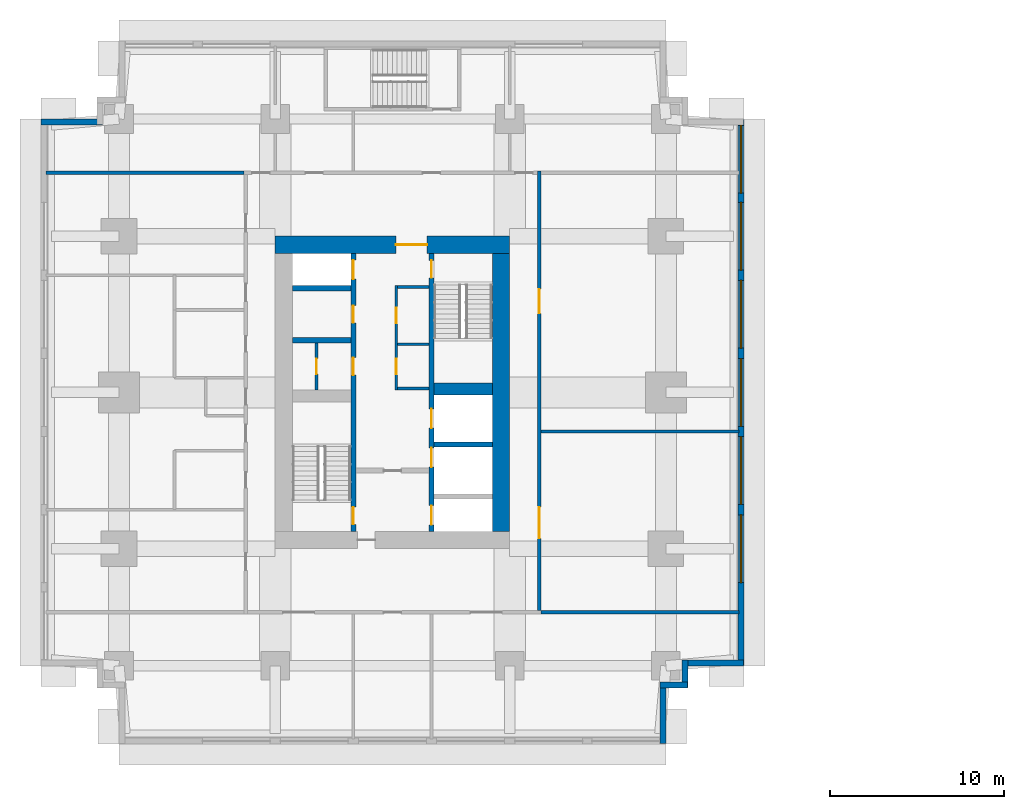
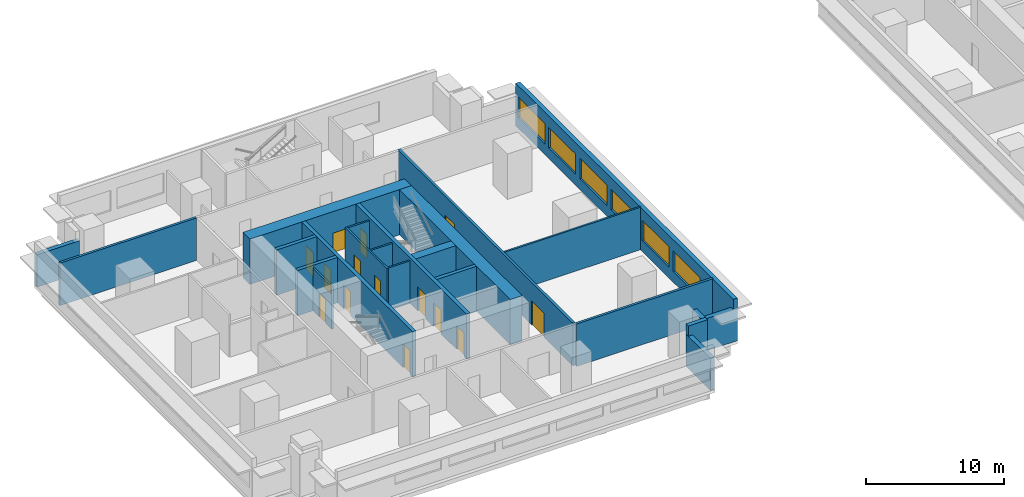
# One storey, part 4 of 11: 23 walls, 14 doors, 6 windows, 20 openings.
"""IFC4 building model written with IfcOpenShell, lengths in metres."""

from ifc_helpers import new_model, si_unit, direction, frame, frame_2d, origin, place, context, subcontext, project, spatial, rectangle, extrude, material, layer, layer_set, type_object, element, fill, save


model = new_model("IFC4")

# Units and contexts
model_context = context("Model", 3, precision=1e-05, world=origin(), true_north=direction((0.0, 1.0)))
body_context = subcontext(model_context, "Body", "Model", "MODEL_VIEW")
ifc_project = project(units=[si_unit("LENGTHUNIT", "METRE"), si_unit("AREAUNIT", "SQUARE_METRE"), si_unit("VOLUMEUNIT", "CUBIC_METRE"), si_unit("PLANEANGLEUNIT", "RADIAN"), si_unit("MASSUNIT", "GRAM", prefix="KILO")], contexts=[model_context])

# Site, building, storey
site_placement = place(None, origin())
site = spatial("IfcSite", under=ifc_project, at=site_placement, CompositionType="ELEMENT")
building_placement = place(site_placement, origin())
building = spatial("IfcBuilding", under=site, at=building_placement, Name="Namib Vertical Campus", CompositionType="ELEMENT")
storey_placement = place(building_placement, frame((0.0, 0.0, 189.0)))
storey = spatial("IfcBuildingStorey", under=building, at=storey_placement, Name="L44", CompositionType="ELEMENT", Elevation=189.0)

# Wall, openings, doors
ifc_material_1 = material(Name="Concrete C60/75", Category="concrete")
ifc_layer_1 = layer(ifc_material_1, 0.300048828125)
ifc_layer_set_1 = layer_set([ifc_layer_1], Name="Concrete C60/75")
wall_type_1 = type_object("IfcWallType", Name="Core inner wall 300", PredefinedType="SHEAR", material=ifc_layer_set_1)
wall_1_placement = place(storey_placement, frame((18.0, 12.25, 0.0), z_axis=(0.0, 0.0, 1.0), x_axis=(0.0, 1.0, 0.0)))
wall_1 = element("IfcWall", 1, at=wall_1_placement, inside=storey, type_object=wall_type_1, Name="Core inner wall A L44 W1", PredefinedType="SHEAR", context=body_context, shape_type="SweptSolid", body=[
    extrude(rectangle(XDim=16.0, YDim=0.300048828125, at=frame_2d((8.0, 0.0))), origin(), (0.0, 0.0, 1.0), 4.0),
])
opening_1_placement = place(wall_1_placement, frame((0.39990234375, 0.0, 0.0)))
opening_1 = element("IfcOpeningElement", 2, at=opening_1_placement, cuts=wall_1, Name="Opening FD1", PredefinedType="OPENING", context=body_context, shape_type="SweptSolid", body=[
    extrude(rectangle(XDim=1.0, YDim=2.10009765625, at=frame_2d((0.5, 1.050048828125))), frame((0.0, 0.159912109375, 0.0), z_axis=(0.0, -1.0, 0.0), x_axis=(1.0, 0.0, 0.0)), (0.0, 0.0, 1.0), 0.320068359375),
])
opening_2_placement = place(wall_1_placement, frame((14.52490234375, 0.0, 0.0)))
opening_2 = element("IfcOpeningElement", 3, at=opening_2_placement, cuts=wall_1, Name="Opening LD1", PredefinedType="OPENING", context=body_context, shape_type="SweptSolid", body=[
    extrude(rectangle(XDim=1.10009765625, YDim=2.10009765625, at=frame_2d((0.550048828125, 1.050048828125))), frame((0.0, 0.159912109375, 0.0), z_axis=(0.0, -1.0, 0.0), x_axis=(1.0, 0.0, 0.0)), (0.0, 0.0, 1.0), 0.320068359375),
])
opening_3_placement = place(wall_1_placement, frame((9.0, 0.0, 0.0)))
opening_3 = element("IfcOpeningElement", 4, at=opening_3_placement, cuts=wall_1, Name="Opening D1", PredefinedType="OPENING", context=body_context, shape_type="SweptSolid", body=[
    extrude(rectangle(XDim=1.0, YDim=2.10009765625, at=frame_2d((0.5, 1.050048828125))), frame((0.0, 0.159912109375, 0.0), z_axis=(0.0, -1.0, 0.0), x_axis=(1.0, 0.0, 0.0)), (0.0, 0.0, 1.0), 0.320068359375),
])
opening_4_placement = place(wall_1_placement, frame((12.0, 0.0, 0.0)))
opening_4 = element("IfcOpeningElement", 5, at=opening_4_placement, cuts=wall_1, Name="Opening D1", PredefinedType="OPENING", context=body_context, shape_type="SweptSolid", body=[
    extrude(rectangle(XDim=1.0, YDim=2.10009765625, at=frame_2d((0.5, 1.050048828125))), frame((0.0, 0.159912109375, 0.0), z_axis=(0.0, -1.0, 0.0), x_axis=(1.0, 0.0, 0.0)), (0.0, 0.0, 1.0), 0.320068359375),
])
ifc_material_2 = material(Name="Timber door leaf", Category="wood")
door_type_1 = type_object("IfcDoorType", Name="Door single 1000x2100", OperationType="SINGLE_SWING_LEFT", PredefinedType="DOOR", material=ifc_material_2)
door_1_placement = place(opening_3_placement, origin())
door_1 = element("IfcDoor", 6, at=door_1_placement, inside=storey, type_object=door_type_1, Name="Door D1 Store A L44 P1", OperationType="SINGLE_SWING_LEFT", OverallHeight=2.10009765625, OverallWidth=1.0, PredefinedType="DOOR", context=body_context, shape_type="SweptSolid", body=[
    extrude(rectangle(XDim=1.0, YDim=2.10009765625, at=frame_2d((0.5, 1.050048828125))), frame((0.0, 0.02490234375, 0.0), z_axis=(0.0, -1.0, 0.0), x_axis=(1.0, 0.0, 0.0)), (0.0, 0.0, 1.0), 0.050048828125),
])
fill(opening_3, door_1)
door_2_placement = place(opening_4_placement, origin())
door_2 = element("IfcDoor", 7, at=door_2_placement, inside=storey, type_object=door_type_1, Name="Door D1 Cleaners' store A L44 P2", OperationType="SINGLE_SWING_LEFT", OverallHeight=2.10009765625, OverallWidth=1.0, PredefinedType="DOOR", context=body_context, shape_type="SweptSolid", body=[
    extrude(rectangle(XDim=1.0, YDim=2.10009765625, at=frame_2d((0.5, 1.050048828125))), frame((0.0, 0.02490234375, 0.0), z_axis=(0.0, -1.0, 0.0), x_axis=(1.0, 0.0, 0.0)), (0.0, 0.0, 1.0), 0.050048828125),
])
fill(opening_4, door_2)
ifc_material_3 = material(Name="Steel fire door", Category="steel")
door_type_2 = type_object("IfcDoorType", Name="Fire door 1000x2100", OperationType="SINGLE_SWING_RIGHT", PredefinedType="DOOR", material=ifc_material_3)
door_3_placement = place(opening_1_placement, origin())
door_3 = element("IfcDoor", 8, at=door_3_placement, inside=storey, type_object=door_type_2, Name="Stair door FD1 A L44 S1", OperationType="SINGLE_SWING_LEFT", OverallHeight=2.10009765625, OverallWidth=1.0, PredefinedType="DOOR", context=body_context, shape_type="SweptSolid", body=[
    extrude(rectangle(XDim=1.0, YDim=2.10009765625, at=frame_2d((0.5, 1.050048828125))), frame((0.0, 0.02490234375, 0.0), z_axis=(0.0, -1.0, 0.0), x_axis=(1.0, 0.0, 0.0)), (0.0, 0.0, 1.0), 0.050048828125),
])
fill(opening_1, door_3)
ifc_material_4 = material(Name="Stainless steel lift door", Category="steel")
door_type_3 = type_object("IfcDoorType", Name="Lift landing door 1100x2100", OperationType="DOUBLE_DOOR_SLIDING", PredefinedType="DOOR", material=ifc_material_4)
door_4_placement = place(opening_2_placement, origin())
door_4 = element("IfcDoor", 9, at=door_4_placement, inside=storey, type_object=door_type_3, Name="Lift landing door LD1 A-P3 L44", OperationType="DOUBLE_DOOR_SLIDING", OverallHeight=2.10009765625, OverallWidth=1.10009765625, PredefinedType="DOOR", context=body_context, shape_type="SweptSolid", body=[
    extrude(rectangle(XDim=1.10009765625, YDim=2.10009765625, at=frame_2d((0.550048828125, 1.050048828125))), frame((0.0, 0.02490234375, 0.0), z_axis=(0.0, -1.0, 0.0), x_axis=(1.0, 0.0, 0.0)), (0.0, 0.0, 1.0), 0.050048828125),
])
fill(opening_2, door_4)

wall_2_placement = place(storey_placement, frame((22.5, 12.25, 0.0), z_axis=(0.0, 0.0, 1.0), x_axis=(0.0, 1.0, 0.0)))
wall_2 = element("IfcWall", 10, at=wall_2_placement, inside=storey, type_object=wall_type_1, Name="Core inner wall A L44 W2", PredefinedType="SHEAR", context=body_context, shape_type="SweptSolid", body=[
    extrude(rectangle(XDim=16.0, YDim=0.300048828125, at=frame_2d((8.0, 0.0))), origin(), (0.0, 0.0, 1.0), 4.0),
])
opening_5_placement = place(wall_2_placement, frame((14.60009765625, 0.0, 0.0)))
opening_5 = element("IfcOpeningElement", 11, at=opening_5_placement, cuts=wall_2, Name="Opening FD1", PredefinedType="OPENING", context=body_context, shape_type="SweptSolid", body=[
    extrude(rectangle(XDim=1.0, YDim=2.10009765625, at=frame_2d((0.5, 1.050048828125))), frame((0.0, 0.159912109375, 0.0), z_axis=(0.0, -1.0, 0.0), x_axis=(1.0, 0.0, 0.0)), (0.0, 0.0, 1.0), 0.320068359375),
])
opening_6_placement = place(wall_2_placement, frame((0.375, 0.0, 0.0)))
opening_6 = element("IfcOpeningElement", 12, at=opening_6_placement, cuts=wall_2, Name="Opening LD1", PredefinedType="OPENING", context=body_context, shape_type="SweptSolid", body=[
    extrude(rectangle(XDim=1.10009765625, YDim=2.10009765625, at=frame_2d((0.550048828125, 1.050048828125))), frame((0.0, 0.159912109375, 0.0), z_axis=(0.0, -1.0, 0.0), x_axis=(1.0, 0.0, 0.0)), (0.0, 0.0, 1.0), 0.320068359375),
])
opening_7_placement = place(wall_2_placement, frame((3.699951171875, 0.0, 0.0)))
opening_7 = element("IfcOpeningElement", 13, at=opening_7_placement, cuts=wall_2, Name="Opening LD1", PredefinedType="OPENING", context=body_context, shape_type="SweptSolid", body=[
    extrude(rectangle(XDim=1.10009765625, YDim=2.10009765625, at=frame_2d((0.550048828125, 1.050048828125))), frame((0.0, 0.159912109375, 0.0), z_axis=(0.0, -1.0, 0.0), x_axis=(1.0, 0.0, 0.0)), (0.0, 0.0, 1.0), 0.320068359375),
])
opening_8_placement = place(wall_2_placement, frame((5.949951171875, 0.0, 0.0)))
opening_8 = element("IfcOpeningElement", 14, at=opening_8_placement, cuts=wall_2, Name="Opening LD1", PredefinedType="OPENING", context=body_context, shape_type="SweptSolid", body=[
    extrude(rectangle(XDim=1.10009765625, YDim=2.10009765625, at=frame_2d((0.550048828125, 1.050048828125))), frame((0.0, 0.159912109375, 0.0), z_axis=(0.0, -1.0, 0.0), x_axis=(1.0, 0.0, 0.0)), (0.0, 0.0, 1.0), 0.320068359375),
])
door_5_placement = place(opening_5_placement, frame((1.0, 0.0, 0.0), z_axis=(0.0, 0.0, 1.0), x_axis=(-1.0, 0.0, 0.0)))
door_5 = element("IfcDoor", 15, at=door_5_placement, inside=storey, type_object=door_type_2, Name="Stair door FD1 A L44 S2", OperationType="SINGLE_SWING_LEFT", OverallHeight=2.10009765625, OverallWidth=1.0, PredefinedType="DOOR", context=body_context, shape_type="SweptSolid", body=[
    extrude(rectangle(XDim=1.0, YDim=2.10009765625, at=frame_2d((0.5, 1.050048828125))), frame((0.0, 0.02490234375, 0.0), z_axis=(0.0, -1.0, 0.0), x_axis=(1.0, 0.0, 0.0)), (0.0, 0.0, 1.0), 0.050048828125),
])
fill(opening_5, door_5)
door_6_placement = place(opening_6_placement, origin())
door_6 = element("IfcDoor", 16, at=door_6_placement, inside=storey, type_object=door_type_3, Name="Lift landing door LD1 A-FL1 L44", OperationType="DOUBLE_DOOR_SLIDING", OverallHeight=2.10009765625, OverallWidth=1.10009765625, PredefinedType="DOOR", context=body_context, shape_type="SweptSolid", body=[
    extrude(rectangle(XDim=1.10009765625, YDim=2.10009765625, at=frame_2d((0.550048828125, 1.050048828125))), frame((0.0, 0.02490234375, 0.0), z_axis=(0.0, -1.0, 0.0), x_axis=(1.0, 0.0, 0.0)), (0.0, 0.0, 1.0), 0.050048828125),
])
fill(opening_6, door_6)
door_7_placement = place(opening_7_placement, origin())
door_7 = element("IfcDoor", 17, at=door_7_placement, inside=storey, type_object=door_type_3, Name="Lift landing door LD1 A-P4 L44", OperationType="DOUBLE_DOOR_SLIDING", OverallHeight=2.10009765625, OverallWidth=1.10009765625, PredefinedType="DOOR", context=body_context, shape_type="SweptSolid", body=[
    extrude(rectangle(XDim=1.10009765625, YDim=2.10009765625, at=frame_2d((0.550048828125, 1.050048828125))), frame((0.0, 0.02490234375, 0.0), z_axis=(0.0, -1.0, 0.0), x_axis=(1.0, 0.0, 0.0)), (0.0, 0.0, 1.0), 0.050048828125),
])
fill(opening_7, door_7)
door_8_placement = place(opening_8_placement, origin())
door_8 = element("IfcDoor", 18, at=door_8_placement, inside=storey, type_object=door_type_3, Name="Lift landing door LD1 A-P5 L44", OperationType="DOUBLE_DOOR_SLIDING", OverallHeight=2.10009765625, OverallWidth=1.10009765625, PredefinedType="DOOR", context=body_context, shape_type="SweptSolid", body=[
    extrude(rectangle(XDim=1.10009765625, YDim=2.10009765625, at=frame_2d((0.550048828125, 1.050048828125))), frame((0.0, 0.02490234375, 0.0), z_axis=(0.0, -1.0, 0.0), x_axis=(1.0, 0.0, 0.0)), (0.0, 0.0, 1.0), 0.050048828125),
])
fill(opening_8, door_8)

# Walls
for number, where, z_axis, x_axis, name in (
    (19, (22.64990234375, 17.25, 0.0), (0.0, 0.0, 1.0), (1.0, 0.0, 0.0), "Core inner wall A L44 W6"),
    (20, (14.5, 23.25, 0.0), (0.0, 0.0, 1.0), (1.0, 0.0, 0.0), "Core inner wall A L44 W8"),
    (21, (14.5, 26.25, 0.0), (0.0, 0.0, 1.0), (1.0, 0.0, 0.0), "Core inner wall A L44 W9"),
):
    element("IfcWall", number, at=place(storey_placement, frame(where, z_axis=z_axis, x_axis=x_axis)), inside=storey, type_object=wall_type_1, Name=name, PredefinedType="SHEAR", context=body_context, shape_type="SweptSolid", body=[
        extrude(rectangle(XDim=3.35009765625, YDim=0.300048828125, at=frame_2d((1.675048828125, 0.0))), origin(), (0.0, 0.0, 1.0), 4.0),
    ])
ifc_material_5 = material(Name="Concrete C60/75", Category="concrete")
ifc_layer_2 = layer(ifc_material_5, 0.699951171875)
ifc_layer_set_2 = layer_set([ifc_layer_2], Name="Concrete C60/75")
wall_type_2 = type_object("IfcWallType", Name="Core shear wall 700", PredefinedType="SHEAR", material=ifc_layer_set_2)
wall_3_placement = place(storey_placement, frame((22.64990234375, 20.449951171875, 0.0), z_axis=(0.0, 0.0, 1.0), x_axis=(1.0, 0.0, 0.0)))
element("IfcWall", 22, at=wall_3_placement, inside=storey, type_object=wall_type_2, Name="Core shear wall A L44 W7", PredefinedType="SHEAR", context=body_context, shape_type="SweptSolid", body=[
    extrude(rectangle(XDim=3.35009765625, YDim=0.699951171875, at=frame_2d((1.675048828125, 0.0))), origin(), (0.0, 0.0, 1.0), 4.0),
])
ifc_material_6 = material(Name="Concrete C60/75", Category="concrete")
ifc_layer_3 = layer(ifc_material_6, 1.0)
ifc_layer_set_3 = layer_set([ifc_layer_3], Name="Concrete C60/75")
wall_type_3 = type_object("IfcWallType", Name="Core wall 1000", PredefinedType="SHEAR", material=ifc_layer_set_3)
wall_4_placement = place(storey_placement, frame((26.5, 12.25, 0.0), z_axis=(0.0, 0.0, 1.0), x_axis=(0.0, 1.0, 0.0)))
element("IfcWall", 23, at=wall_4_placement, inside=storey, type_object=wall_type_3, Name="Core wall A L44 2", PredefinedType="SHEAR", context=body_context, shape_type="SweptSolid", body=[
    extrude(rectangle(XDim=16.0, YDim=1.0, at=frame_2d((8.0, 0.0))), origin(), (0.0, 0.0, 1.0), 4.0),
])

# Wall, opening, door
wall_5_placement = place(storey_placement, frame((27.0, 28.75, 0.0), z_axis=(0.0, 0.0, 1.0), x_axis=(-1.0, 0.0, 0.0)))
wall_5 = element("IfcWall", 24, at=wall_5_placement, inside=storey, type_object=wall_type_3, Name="Core wall A L44 3", PredefinedType="SHEAR", context=body_context, shape_type="SweptSolid", body=[
    extrude(rectangle(XDim=13.5, YDim=1.0, at=frame_2d((6.75, 0.0))), origin(), (0.0, 0.0, 1.0), 4.0),
])
opening_9_placement = place(wall_5_placement, frame((4.75, 0.0, 0.0)))
opening_9 = element("IfcOpeningElement", 25, at=opening_9_placement, cuts=wall_5, Name="Opening FD2", PredefinedType="OPENING", context=body_context, shape_type="SweptSolid", body=[
    extrude(rectangle(XDim=1.800048828125, YDim=2.10009765625, at=frame_2d((0.89990234375, 1.050048828125))), frame((0.0, 0.510009765625, 0.0), z_axis=(0.0, -1.0, 0.0), x_axis=(1.0, 0.0, 0.0)), (0.0, 0.0, 1.0), 1.02001953125),
])
ifc_material_7 = material(Name="Steel fire door", Category="steel")
door_type_4 = type_object("IfcDoorType", Name="Fire door double 1800x2100", OperationType="DOUBLE_DOOR_SINGLE_SWING", PredefinedType="DOOR", material=ifc_material_7)
door_9_placement = place(opening_9_placement, origin())
door_9 = element("IfcDoor", 26, at=door_9_placement, inside=storey, type_object=door_type_4, Name="Lift lobby door FD2 A L44", OperationType="DOUBLE_DOOR_SINGLE_SWING", OverallHeight=2.10009765625, OverallWidth=1.800048828125, PredefinedType="DOOR", context=body_context, shape_type="SweptSolid", body=[
    extrude(rectangle(XDim=1.800048828125, YDim=2.10009765625, at=frame_2d((0.89990234375, 1.050048828125))), frame((0.0, 0.02490234375, 0.0), z_axis=(0.0, -1.0, 0.0), x_axis=(1.0, 0.0, 0.0)), (0.0, 0.0, 1.0), 0.050048828125),
])
fill(opening_9, door_9)

# Wall, openings, doors
ifc_material_8 = material(Name="Concrete masonry", Category="masonry")
ifc_layer_4 = layer(ifc_material_8, 0.199951171875)
ifc_layer_set_4 = layer_set([ifc_layer_4], Name="Corridor wall 200")
wall_type_4 = type_object("IfcWallType", Name="Corridor wall 200", PredefinedType="SOLIDWALL", material=ifc_layer_set_4)
wall_6_placement = place(storey_placement, frame((28.699951171875, 7.699951171875, 0.0), z_axis=(0.0, 0.0, 1.0), x_axis=(0.0, 1.0, 0.0)))
wall_6 = element("IfcWall", 27, at=wall_6_placement, inside=storey, type_object=wall_type_4, Name="Corridor wall A L44 CE", PredefinedType="SOLIDWALL", context=body_context, shape_type="SweptSolid", body=[
    extrude(rectangle(XDim=25.300048828125, YDim=0.199951171875, at=frame_2d((12.64990234375, 0.0))), origin(), (0.0, 0.0, 1.0), 3.75),
])
opening_10_placement = place(wall_6_placement, frame((4.14990234375, 0.0, 0.0)))
opening_10 = element("IfcOpeningElement", 28, at=opening_10_placement, cuts=wall_6, Name="Opening CD2", PredefinedType="OPENING", context=body_context, shape_type="SweptSolid", body=[
    extrude(rectangle(XDim=1.800048828125, YDim=2.10009765625, at=frame_2d((0.89990234375, 1.050048828125))), frame((0.0, 0.10986328125, 0.0), z_axis=(0.0, -1.0, 0.0), x_axis=(1.0, 0.0, 0.0)), (0.0, 0.0, 1.0), 0.219970703125),
])
opening_11_placement = place(wall_6_placement, frame((17.10009765625, 0.0, 0.0)))
opening_11 = element("IfcOpeningElement", 29, at=opening_11_placement, cuts=wall_6, Name="Opening LB1", PredefinedType="OPENING", context=body_context, shape_type="SweptSolid", body=[
    extrude(rectangle(XDim=1.39990234375, YDim=2.10009765625, at=frame_2d((0.699951171875, 1.050048828125))), frame((0.0, 0.10986328125, 0.0), z_axis=(0.0, -1.0, 0.0), x_axis=(1.0, 0.0, 0.0)), (0.0, 0.0, 1.0), 0.219970703125),
])
ifc_material_9 = material(Name="Timber fire door leaf", Category="wood")
door_type_5 = type_object("IfcDoorType", Name="Corridor door double 1800x2100 20 min", OperationType="DOUBLE_DOOR_SINGLE_SWING", PredefinedType="DOOR", material=ifc_material_9)
door_10_placement = place(opening_10_placement, frame((1.800048828125, 0.0, 0.0), z_axis=(0.0, 0.0, 1.0), x_axis=(-1.0, 0.0, 0.0)))
door_10 = element("IfcDoor", 30, at=door_10_placement, inside=storey, type_object=door_type_5, Name="Door CD2 A44-04", OperationType="DOUBLE_DOOR_SINGLE_SWING", OverallHeight=2.10009765625, OverallWidth=1.800048828125, PredefinedType="DOOR", context=body_context, shape_type="SweptSolid", body=[
    extrude(rectangle(XDim=1.800048828125, YDim=2.10009765625, at=frame_2d((0.89990234375, 1.050048828125))), frame((0.0, 0.02490234375, 0.0), z_axis=(0.0, -1.0, 0.0), x_axis=(1.0, 0.0, 0.0)), (0.0, 0.0, 1.0), 0.050048828125),
])
fill(opening_10, door_10)
ifc_material_10 = material(Name="Timber fire door leaf", Category="wood")
door_type_6 = type_object("IfcDoorType", Name="Laboratory door 1400x2100 leaf and a half", OperationType="DOUBLE_DOOR_SINGLE_SWING", PredefinedType="DOOR", material=ifc_material_10)
door_11_placement = place(opening_11_placement, frame((1.39990234375, 0.0, 0.0), z_axis=(0.0, 0.0, 1.0), x_axis=(-1.0, 0.0, 0.0)))
door_11 = element("IfcDoor", 31, at=door_11_placement, inside=storey, type_object=door_type_6, Name="Door LB1 A44-05", OperationType="DOUBLE_DOOR_SINGLE_SWING", OverallHeight=2.10009765625, OverallWidth=1.39990234375, PredefinedType="DOOR", context=body_context, shape_type="SweptSolid", body=[
    extrude(rectangle(XDim=1.39990234375, YDim=2.10009765625, at=frame_2d((0.699951171875, 1.050048828125))), frame((0.0, 0.02490234375, 0.0), z_axis=(0.0, -1.0, 0.0), x_axis=(1.0, 0.0, 0.0)), (0.0, 0.0, 1.0), 0.050048828125),
])
fill(opening_11, door_11)

# Walls
for number, where, z_axis, x_axis, name in (
    (32, (28.800048828125, 7.60009765625, 0.0), (0.0, 0.0, 1.0), (1.0, 0.0, 0.0), "Partition A L44 BSE"),
    (33, (0.300048828125, 32.89990234375, 0.0), (0.0, 0.0, 1.0), (1.0, 0.0, 0.0), "Partition A L44 BNW"),
):
    element("IfcWall", number, at=place(storey_placement, frame(where, z_axis=z_axis, x_axis=x_axis)), inside=storey, type_object=wall_type_4, Name=name, PredefinedType="SOLIDWALL", context=body_context, shape_type="SweptSolid", body=[
        extrude(rectangle(XDim=11.39990234375, YDim=0.199951171875, at=frame_2d((5.699951171875, 0.0))), origin(), (0.0, 0.0, 1.0), 3.75),
    ])
ifc_material_11 = material(Name="Concrete C40/50", Category="concrete")
ifc_layer_5 = layer(ifc_material_11, 0.35009765625)
ifc_layer_set_5 = layer_set([ifc_layer_5], Name="Concrete C40/50")
wall_type_5 = type_object("IfcWallType", Name="External wall 350 bush-hammered concrete", PredefinedType="STANDARD", material=ifc_layer_set_5)
wall_7_placement = place(storey_placement, frame((35.824951171875, 0.02001953125, 0.0), z_axis=(0.0, 0.0, 1.0), x_axis=(0.0, 1.0, 0.0)))
element("IfcWall", 34, at=wall_7_placement, inside=storey, type_object=wall_type_5, Name="External wall L44 F02", PredefinedType="STANDARD", context=body_context, shape_type="SweptSolid", body=[
    extrude(rectangle(XDim=3.534912109375, YDim=0.35009765625, at=frame_2d((1.767578125, 0.0))), origin(), (0.0, 0.0, 1.0), 2.85009765625),
])
for number, where, z_axis, x_axis, name in (
    (35, (35.669921875, 3.39990234375, 0.0), (0.0, 0.0, 1.0), (1.0, 0.0, 0.0), "External wall L44 F03"),
    (36, (37.10009765625, 3.2451171875, 0.0), (0.0, 0.0, 1.0), (0.0, 1.0, 0.0), "External wall L44 F04"),
):
    element("IfcWall", number, at=place(storey_placement, frame(where, z_axis=z_axis, x_axis=x_axis)), inside=storey, type_object=wall_type_5, Name=name, PredefinedType="STANDARD", context=body_context, shape_type="SweptSolid", body=[
        extrude(rectangle(XDim=1.5849609375, YDim=0.35009765625, at=frame_2d((0.79248046875, 0.0))), origin(), (0.0, 0.0, 1.0), 3.75),
    ])
wall_8_placement = place(storey_placement, frame((36.945068359375, 4.675048828125, 0.0), z_axis=(0.0, 0.0, 1.0), x_axis=(1.0, 0.0, 0.0)))
element("IfcWall", 37, at=wall_8_placement, inside=storey, type_object=wall_type_5, Name="External wall L44 F05", PredefinedType="STANDARD", context=body_context, shape_type="SweptSolid", body=[
    extrude(rectangle(XDim=3.534912109375, YDim=0.35009765625, at=frame_2d((1.767578125, 0.0))), origin(), (0.0, 0.0, 1.0), 2.85009765625),
])

# Wall, openings, windows
wall_9_placement = place(storey_placement, frame((40.324951171875, 4.52001953125, 0.0), z_axis=(0.0, 0.0, 1.0), x_axis=(0.0, 1.0, 0.0)))
wall_9 = element("IfcWall", 38, at=wall_9_placement, inside=storey, type_object=wall_type_5, Name="External wall L44 F06", PredefinedType="STANDARD", context=body_context, shape_type="SweptSolid", body=[
    extrude(rectangle(XDim=31.4599609375, YDim=0.35009765625, at=frame_2d((15.72998046875, 0.0))), origin(), (0.0, 0.0, 1.0), 3.75),
])
opening_12_placement = place(wall_9_placement, frame((4.780029296875, 0.0, 0.949951171875)))
opening_12 = element("IfcOpeningElement", 39, at=opening_12_placement, cuts=wall_9, Name="Opening W3", PredefinedType="OPENING", context=body_context, shape_type="SweptSolid", body=[
    extrude(rectangle(XDim=3.89990234375, YDim=1.800048828125, at=frame_2d((1.949951171875, 0.89990234375))), frame((0.0, 0.18505859375, 0.0), z_axis=(0.0, -1.0, 0.0), x_axis=(1.0, 0.0, 0.0)), (0.0, 0.0, 1.0), 0.3701171875),
])
opening_13_placement = place(wall_9_placement, frame((9.280029296875, 0.0, 0.949951171875)))
opening_13 = element("IfcOpeningElement", 40, at=opening_13_placement, cuts=wall_9, Name="Opening W3", PredefinedType="OPENING", context=body_context, shape_type="SweptSolid", body=[
    extrude(rectangle(XDim=3.89990234375, YDim=1.800048828125, at=frame_2d((1.949951171875, 0.89990234375))), frame((0.0, 0.18505859375, 0.0), z_axis=(0.0, -1.0, 0.0), x_axis=(1.0, 0.0, 0.0)), (0.0, 0.0, 1.0), 0.3701171875),
])
opening_14_placement = place(wall_9_placement, frame((13.780029296875, 0.0, 0.949951171875)))
opening_14 = element("IfcOpeningElement", 41, at=opening_14_placement, cuts=wall_9, Name="Opening W3", PredefinedType="OPENING", context=body_context, shape_type="SweptSolid", body=[
    extrude(rectangle(XDim=3.89990234375, YDim=1.800048828125, at=frame_2d((1.949951171875, 0.89990234375))), frame((0.0, 0.18505859375, 0.0), z_axis=(0.0, -1.0, 0.0), x_axis=(1.0, 0.0, 0.0)), (0.0, 0.0, 1.0), 0.3701171875),
])
opening_15_placement = place(wall_9_placement, frame((18.280029296875, 0.0, 0.949951171875)))
opening_15 = element("IfcOpeningElement", 42, at=opening_15_placement, cuts=wall_9, Name="Opening W3", PredefinedType="OPENING", context=body_context, shape_type="SweptSolid", body=[
    extrude(rectangle(XDim=3.89990234375, YDim=1.800048828125, at=frame_2d((1.949951171875, 0.89990234375))), frame((0.0, 0.18505859375, 0.0), z_axis=(0.0, -1.0, 0.0), x_axis=(1.0, 0.0, 0.0)), (0.0, 0.0, 1.0), 0.3701171875),
])
opening_16_placement = place(wall_9_placement, frame((22.780029296875, 0.0, 0.949951171875)))
opening_16 = element("IfcOpeningElement", 43, at=opening_16_placement, cuts=wall_9, Name="Opening W3", PredefinedType="OPENING", context=body_context, shape_type="SweptSolid", body=[
    extrude(rectangle(XDim=3.89990234375, YDim=1.800048828125, at=frame_2d((1.949951171875, 0.89990234375))), frame((0.0, 0.18505859375, 0.0), z_axis=(0.0, -1.0, 0.0), x_axis=(1.0, 0.0, 0.0)), (0.0, 0.0, 1.0), 0.3701171875),
])
opening_17_placement = place(wall_9_placement, frame((27.2099609375, 0.0, 0.949951171875)))
opening_17 = element("IfcOpeningElement", 44, at=opening_17_placement, cuts=wall_9, Name="Opening W3", PredefinedType="OPENING", context=body_context, shape_type="SweptSolid", body=[
    extrude(rectangle(XDim=3.89990234375, YDim=1.800048828125, at=frame_2d((1.949951171875, 0.89990234375))), frame((0.0, 0.18505859375, 0.0), z_axis=(0.0, -1.0, 0.0), x_axis=(1.0, 0.0, 0.0)), (0.0, 0.0, 1.0), 0.3701171875),
])
ifc_material_12 = material(Name="Dark tinted glass in black aluminium frame", Category="aluminium")
window_type = type_object("IfcWindowType", Name="Ribbon window 3900x1800", PartitioningType="SINGLE_PANEL", PredefinedType="WINDOW", material=ifc_material_12)
window_1_placement = place(opening_12_placement, origin())
window_1 = element("IfcWindow", 45, at=window_1_placement, inside=storey, type_object=window_type, Name="Window W3 L44 F06-2", OverallHeight=1.800048828125, OverallWidth=3.89990234375, PartitioningType="SINGLE_PANEL", PredefinedType="WINDOW", context=body_context, shape_type="SweptSolid", body=[
    extrude(rectangle(XDim=3.89990234375, YDim=1.800048828125, at=frame_2d((1.949951171875, 0.89990234375))), frame((0.0, 0.030029296875, 0.0), z_axis=(0.0, -1.0, 0.0), x_axis=(1.0, 0.0, 0.0)), (0.0, 0.0, 1.0), 0.06005859375),
])
fill(opening_12, window_1)
window_2_placement = place(opening_13_placement, origin())
window_2 = element("IfcWindow", 46, at=window_2_placement, inside=storey, type_object=window_type, Name="Window W3 L44 F06-3", OverallHeight=1.800048828125, OverallWidth=3.89990234375, PartitioningType="SINGLE_PANEL", PredefinedType="WINDOW", context=body_context, shape_type="SweptSolid", body=[
    extrude(rectangle(XDim=3.89990234375, YDim=1.800048828125, at=frame_2d((1.949951171875, 0.89990234375))), frame((0.0, 0.030029296875, 0.0), z_axis=(0.0, -1.0, 0.0), x_axis=(1.0, 0.0, 0.0)), (0.0, 0.0, 1.0), 0.06005859375),
])
fill(opening_13, window_2)
window_3_placement = place(opening_14_placement, origin())
window_3 = element("IfcWindow", 47, at=window_3_placement, inside=storey, type_object=window_type, Name="Window W3 L44 F06-4", OverallHeight=1.800048828125, OverallWidth=3.89990234375, PartitioningType="SINGLE_PANEL", PredefinedType="WINDOW", context=body_context, shape_type="SweptSolid", body=[
    extrude(rectangle(XDim=3.89990234375, YDim=1.800048828125, at=frame_2d((1.949951171875, 0.89990234375))), frame((0.0, 0.030029296875, 0.0), z_axis=(0.0, -1.0, 0.0), x_axis=(1.0, 0.0, 0.0)), (0.0, 0.0, 1.0), 0.06005859375),
])
fill(opening_14, window_3)
window_4_placement = place(opening_15_placement, origin())
window_4 = element("IfcWindow", 48, at=window_4_placement, inside=storey, type_object=window_type, Name="Window W3 L44 F06-5", OverallHeight=1.800048828125, OverallWidth=3.89990234375, PartitioningType="SINGLE_PANEL", PredefinedType="WINDOW", context=body_context, shape_type="SweptSolid", body=[
    extrude(rectangle(XDim=3.89990234375, YDim=1.800048828125, at=frame_2d((1.949951171875, 0.89990234375))), frame((0.0, 0.030029296875, 0.0), z_axis=(0.0, -1.0, 0.0), x_axis=(1.0, 0.0, 0.0)), (0.0, 0.0, 1.0), 0.06005859375),
])
fill(opening_15, window_4)
window_5_placement = place(opening_16_placement, origin())
window_5 = element("IfcWindow", 49, at=window_5_placement, inside=storey, type_object=window_type, Name="Window W3 L44 F06-6", OverallHeight=1.800048828125, OverallWidth=3.89990234375, PartitioningType="SINGLE_PANEL", PredefinedType="WINDOW", context=body_context, shape_type="SweptSolid", body=[
    extrude(rectangle(XDim=3.89990234375, YDim=1.800048828125, at=frame_2d((1.949951171875, 0.89990234375))), frame((0.0, 0.030029296875, 0.0), z_axis=(0.0, -1.0, 0.0), x_axis=(1.0, 0.0, 0.0)), (0.0, 0.0, 1.0), 0.06005859375),
])
fill(opening_16, window_5)
window_6_placement = place(opening_17_placement, origin())
window_6 = element("IfcWindow", 50, at=window_6_placement, inside=storey, type_object=window_type, Name="Window W3 L44 F06-7", OverallHeight=1.800048828125, OverallWidth=3.89990234375, PartitioningType="SINGLE_PANEL", PredefinedType="WINDOW", context=body_context, shape_type="SweptSolid", body=[
    extrude(rectangle(XDim=3.89990234375, YDim=1.800048828125, at=frame_2d((1.949951171875, 0.89990234375))), frame((0.0, 0.030029296875, 0.0), z_axis=(0.0, -1.0, 0.0), x_axis=(1.0, 0.0, 0.0)), (0.0, 0.0, 1.0), 0.06005859375),
])
fill(opening_17, window_6)

# Wall
wall_10_placement = place(storey_placement, frame((3.554931640625, 35.824951171875, 0.0), z_axis=(0.0, 0.0, 1.0), x_axis=(-1.0, 0.0, 0.0)))
element("IfcWall", 51, at=wall_10_placement, inside=storey, type_object=wall_type_5, Name="External wall L44 F15", PredefinedType="STANDARD", context=body_context, shape_type="SweptSolid", body=[
    extrude(rectangle(XDim=3.534912109375, YDim=0.35009765625, at=frame_2d((1.767578125, 0.0))), origin(), (0.0, 0.0, 1.0), 2.85009765625),
])

# Wall, openings, doors
ifc_material_13 = material(Name="Gypsum board on steel studs", Category="steel")
ifc_layer_6 = layer(ifc_material_13, 0.14990234375)
ifc_layer_set_6 = layer_set([ifc_layer_6], Name="Gypsum board on steel studs")
wall_type_6 = type_object("IfcWallType", Name="Partition 150", PredefinedType="PARTITIONING", material=ifc_layer_set_6)
wall_11_placement = place(storey_placement, frame((20.47509765625, 20.39990234375, 0.0), z_axis=(0.0, 0.0, 1.0), x_axis=(0.0, 1.0, 0.0)))
wall_11 = element("IfcWall", 52, at=wall_11_placement, inside=storey, type_object=wall_type_6, Name="Partition A L44 Comms room and Store front", PredefinedType="PARTITIONING", context=body_context, shape_type="SweptSolid", body=[
    extrude(rectangle(XDim=6.0, YDim=0.14990234375, at=frame_2d((3.0, 0.0))), origin(), (0.0, 0.0, 1.0), 3.75),
])
opening_18_placement = place(wall_11_placement, frame((0.89990234375, 0.0, 0.0)))
opening_18 = element("IfcOpeningElement", 53, at=opening_18_placement, cuts=wall_11, Name="Opening D3", PredefinedType="OPENING", context=body_context, shape_type="SweptSolid", body=[
    extrude(rectangle(XDim=0.89990234375, YDim=2.10009765625, at=frame_2d((0.449951171875, 1.050048828125))), frame((0.0, 0.0849609375, 0.0), z_axis=(0.0, -1.0, 0.0), x_axis=(1.0, 0.0, 0.0)), (0.0, 0.0, 1.0), 0.169921875),
])
opening_19_placement = place(wall_11_placement, frame((3.824951171875, 0.0, 0.0)))
opening_19 = element("IfcOpeningElement", 54, at=opening_19_placement, cuts=wall_11, Name="Opening D3", PredefinedType="OPENING", context=body_context, shape_type="SweptSolid", body=[
    extrude(rectangle(XDim=0.89990234375, YDim=2.10009765625, at=frame_2d((0.449951171875, 1.050048828125))), frame((0.0, 0.0849609375, 0.0), z_axis=(0.0, -1.0, 0.0), x_axis=(1.0, 0.0, 0.0)), (0.0, 0.0, 1.0), 0.169921875),
])
ifc_material_14 = material(Name="Timber door leaf", Category="wood")
door_type_7 = type_object("IfcDoorType", Name="Toilet door 900x2100", OperationType="SINGLE_SWING_LEFT", PredefinedType="DOOR", material=ifc_material_14)
door_12_placement = place(opening_18_placement, frame((0.89990234375, 0.0, 0.0), z_axis=(0.0, 0.0, 1.0), x_axis=(-1.0, 0.0, 0.0)))
door_12 = element("IfcDoor", 55, at=door_12_placement, inside=storey, type_object=door_type_7, Name="Door D3 Comms room A L44", OperationType="SINGLE_SWING_RIGHT", OverallHeight=2.10009765625, OverallWidth=0.89990234375, PredefinedType="DOOR", context=body_context, shape_type="SweptSolid", body=[
    extrude(rectangle(XDim=0.89990234375, YDim=2.10009765625, at=frame_2d((0.449951171875, 1.050048828125))), frame((0.0, 0.02490234375, 0.0), z_axis=(0.0, -1.0, 0.0), x_axis=(1.0, 0.0, 0.0)), (0.0, 0.0, 1.0), 0.050048828125),
])
fill(opening_18, door_12)
door_13_placement = place(opening_19_placement, frame((0.89990234375, 0.0, 0.0), z_axis=(0.0, 0.0, 1.0), x_axis=(-1.0, 0.0, 0.0)))
door_13 = element("IfcDoor", 56, at=door_13_placement, inside=storey, type_object=door_type_7, Name="Door D3 Store A L44", OperationType="SINGLE_SWING_RIGHT", OverallHeight=2.10009765625, OverallWidth=0.89990234375, PredefinedType="DOOR", context=body_context, shape_type="SweptSolid", body=[
    extrude(rectangle(XDim=0.89990234375, YDim=2.10009765625, at=frame_2d((0.449951171875, 1.050048828125))), frame((0.0, 0.02490234375, 0.0), z_axis=(0.0, -1.0, 0.0), x_axis=(1.0, 0.0, 0.0)), (0.0, 0.0, 1.0), 0.050048828125),
])
fill(opening_19, door_13)

# Walls
for number, where, z_axis, x_axis, name in (
    (57, (20.550048828125, 20.47509765625, 0.0), (0.0, 0.0, 1.0), (1.0, 0.0, 0.0), "Partition A L44 Comms room and Store end 1"),
    (58, (20.550048828125, 23.02490234375, 0.0), (0.0, 0.0, 1.0), (1.0, 0.0, 0.0), "Partition A L44 Comms room and Store division 2"),
    (59, (20.550048828125, 26.324951171875, 0.0), (0.0, 0.0, 1.0), (1.0, 0.0, 0.0), "Partition A L44 Comms room and Store end 3"),
):
    element("IfcWall", number, at=place(storey_placement, frame(where, z_axis=z_axis, x_axis=x_axis)), inside=storey, type_object=wall_type_6, Name=name, PredefinedType="PARTITIONING", context=body_context, shape_type="SweptSolid", body=[
        extrude(rectangle(XDim=1.800048828125, YDim=0.14990234375, at=frame_2d((0.89990234375, 0.0))), origin(), (0.0, 0.0, 1.0), 3.75),
    ])

# Wall, opening, door
wall_12_placement = place(storey_placement, frame((15.875, 20.39990234375, 0.0), z_axis=(0.0, 0.0, 1.0), x_axis=(0.0, 1.0, 0.0)))
wall_12 = element("IfcWall", 60, at=wall_12_placement, inside=storey, type_object=wall_type_6, Name="Partition A L44 Store P1 back", PredefinedType="PARTITIONING", context=body_context, shape_type="SweptSolid", body=[
    extrude(rectangle(XDim=2.7001953125, YDim=0.14990234375, at=frame_2d((1.35009765625, 0.0))), origin(), (0.0, 0.0, 1.0), 3.75),
])
opening_20_placement = place(wall_12_placement, frame((0.89990234375, 0.0, 0.0)))
opening_20 = element("IfcOpeningElement", 61, at=opening_20_placement, cuts=wall_12, Name="Opening D3", PredefinedType="OPENING", context=body_context, shape_type="SweptSolid", body=[
    extrude(rectangle(XDim=0.89990234375, YDim=2.10009765625, at=frame_2d((0.449951171875, 1.050048828125))), frame((0.0, 0.0849609375, 0.0), z_axis=(0.0, -1.0, 0.0), x_axis=(1.0, 0.0, 0.0)), (0.0, 0.0, 1.0), 0.169921875),
])
door_14_placement = place(opening_20_placement, origin())
door_14 = element("IfcDoor", 62, at=door_14_placement, inside=storey, type_object=door_type_7, Name="Door D3 Store A L44 P1", OperationType="SINGLE_SWING_LEFT", OverallHeight=2.10009765625, OverallWidth=0.89990234375, PredefinedType="DOOR", context=body_context, shape_type="SweptSolid", body=[
    extrude(rectangle(XDim=0.89990234375, YDim=2.10009765625, at=frame_2d((0.449951171875, 1.050048828125))), frame((0.0, 0.02490234375, 0.0), z_axis=(0.0, -1.0, 0.0), x_axis=(1.0, 0.0, 0.0)), (0.0, 0.0, 1.0), 0.050048828125),
])
fill(opening_20, door_14)

# Wall
wall_13_placement = place(storey_placement, frame((28.800048828125, 18.0, 0.0), z_axis=(0.0, 0.0, 1.0), x_axis=(1.0, 0.0, 0.0)))
element("IfcWall", 63, at=wall_13_placement, inside=storey, type_object=wall_type_6, Name="Partition A L44 PE1", PredefinedType="PARTITIONING", context=body_context, shape_type="SweptSolid", body=[
    extrude(rectangle(XDim=11.39990234375, YDim=0.14990234375, at=frame_2d((5.699951171875, 0.0))), origin(), (0.0, 0.0, 1.0), 3.75),
])

save(model, "model.ifc")
